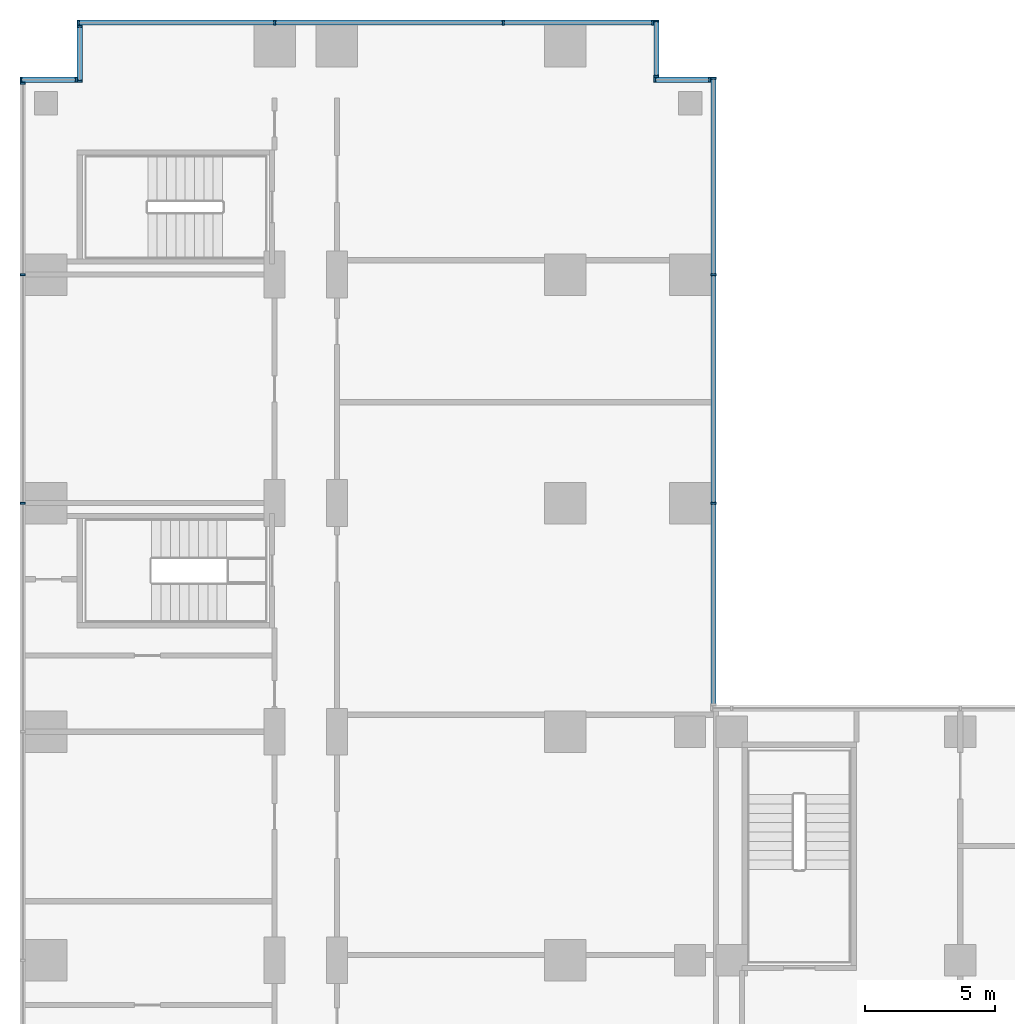
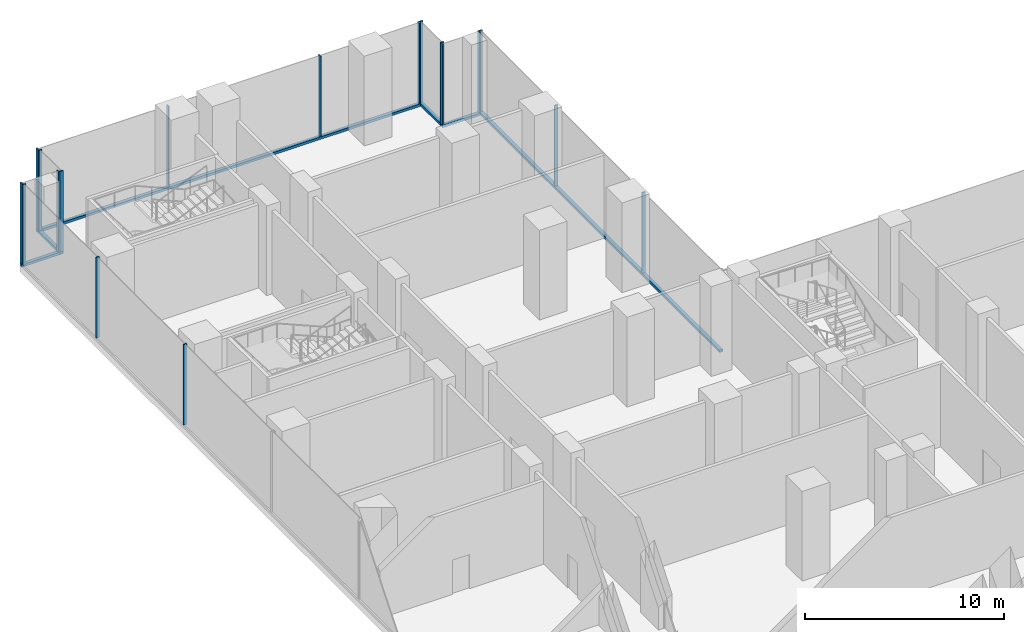
# One storey, part 11 of 30: 24 members, 7 elements without a shape of their own.
"""IFC4 building model written with IfcOpenShell, lengths in metres."""

from ifc_helpers import new_model, si_unit, direction, frame, origin, origin_2d, place, context, subcontext, project, spatial, rectangle, extrude, source, transform, mapped, material, material_profile, profile_set, type_object, element, aggregate, save


model = new_model("IFC4")

# Units and contexts
model_context = context("Model", 3, precision=1e-05, world=origin(), true_north=direction((0.0, 1.0)))
body_context = subcontext(model_context, "Body", "Model", "MODEL_VIEW")
ifc_project = project(units=[si_unit("LENGTHUNIT", "METRE"), si_unit("AREAUNIT", "SQUARE_METRE"), si_unit("VOLUMEUNIT", "CUBIC_METRE"), si_unit("PLANEANGLEUNIT", "RADIAN"), si_unit("MASSUNIT", "GRAM", prefix="KILO")], contexts=[model_context])

# Site, building, storey
site_placement = place(None, origin())
site = spatial("IfcSite", under=ifc_project, at=site_placement, CompositionType="ELEMENT")
building_placement = place(site_placement, origin())
building = spatial("IfcBuilding", under=site, at=building_placement, Name="Kemantara Hotel Tower", CompositionType="ELEMENT")
storey_placement = place(building_placement, frame((0.0, 0.0, 7.5)))
storey = spatial("IfcBuildingStorey", under=building, at=storey_placement, Name="L01", CompositionType="ELEMENT", Elevation=7.5)

# Curtain wall, member
ifc_material_1 = material(Name="Laminated tinted insulated glass 44 mm", Category="glass")
curtain_wall_type = type_object("IfcCurtainWallType", Name="PODIUM GLASS CURTAIN WALL", PredefinedType="USERDEFINED", material=ifc_material_1)
curtain_wall_1_placement = place(storey_placement, origin())
curtain_wall_1 = element("IfcCurtainWall", 1, at=curtain_wall_1_placement, inside=storey, type_object=curtain_wall_type, Name="CW1 L01 POD-R10-1", ObjectType="PODIUM GLASS CURTAIN WALL", PredefinedType="USERDEFINED")
ifc_material_2 = material(Name="Aluminium 6063-T6 bronze anodised", Category="aluminium")
ifc_material_profile_1 = material_profile(ifc_material_2, rectangle(XDim=0.199951171875, YDim=0.14990234375, at=origin_2d()), Name="PODIUM GLASS CURTAIN WALL TRANSOM")
ifc_profile_set_1 = profile_set([ifc_material_profile_1], Name="Aluminium 6063-T6 bronze anodised")
member_type_1 = type_object("IfcMemberType", Name="PODIUM GLASS CURTAIN WALL TRANSOM", PredefinedType="USERDEFINED", material=ifc_profile_set_1)
member_1_placement = place(storey_placement, frame((26.699951171875, 54.800048828125, 0.074951171875), z_axis=(0.0, 1.0, 0.0), x_axis=(-1.0, 0.0, 0.0)))
member_1 = element("IfcMember", 2, at=member_1_placement, type_object=member_type_1, Name="CW1 sill transom POD-R10-1", ObjectType="TRANSOM", PredefinedType="USERDEFINED", context=body_context, shape_type="SweptSolid", body=[
    extrude(rectangle(XDim=0.199951171875, YDim=0.14990234375, at=origin_2d()), origin(), (0.0, 0.0, 1.0), 24.199951171875),
])

curtain_wall_2_placement = place(storey_placement, origin())
curtain_wall_2 = element("IfcCurtainWall", 3, at=curtain_wall_2_placement, inside=storey, type_object=curtain_wall_type, Name="CW1 L01 POD-R13-1", ObjectType="PODIUM GLASS CURTAIN WALL", PredefinedType="USERDEFINED")
member_2_placement = place(storey_placement, frame((24.39990234375, 81.10009765625, 0.074951171875), z_axis=(-1.0, 0.0, 0.0), x_axis=(0.0, -1.0, 0.0)))
member_2 = element("IfcMember", 4, at=member_2_placement, type_object=member_type_1, Name="CW1 sill transom POD-R13-1", ObjectType="TRANSOM", PredefinedType="USERDEFINED", context=body_context, shape_type="SweptSolid", body=[
    extrude(rectangle(XDim=0.199951171875, YDim=0.14990234375, at=origin_2d()), origin(), (0.0, 0.0, 1.0), 22.199951171875),
])

curtain_wall_3_placement = place(storey_placement, origin())
curtain_wall_3 = element("IfcCurtainWall", 5, at=curtain_wall_3_placement, inside=storey, type_object=curtain_wall_type, Name="CW1 L01 POD-R11-1", ObjectType="PODIUM GLASS CURTAIN WALL", PredefinedType="USERDEFINED")
member_3_placement = place(storey_placement, frame((26.60009765625, 78.89990234375, 0.074951171875), z_axis=(-1.0, 0.0, 0.0), x_axis=(0.0, -1.0, 0.0)))
member_3 = element("IfcMember", 6, at=member_3_placement, type_object=member_type_1, Name="CW1 sill transom POD-R11-1", ObjectType="TRANSOM", PredefinedType="USERDEFINED", context=body_context, shape_type="SweptSolid", body=[
    extrude(rectangle(XDim=0.199951171875, YDim=0.14990234375, at=origin_2d()), origin(), (0.0, 0.0, 1.0), 2.2001953125),
])

curtain_wall_4_placement = place(storey_placement, origin())
curtain_wall_4 = element("IfcCurtainWall", 7, at=curtain_wall_4_placement, inside=storey, type_object=curtain_wall_type, Name="CW1 L01 POD-R12-1", ObjectType="PODIUM GLASS CURTAIN WALL", PredefinedType="USERDEFINED")
member_4_placement = place(storey_placement, frame((24.5, 79.0, 0.074951171875), z_axis=(0.0, 1.0, 0.0), x_axis=(-1.0, 0.0, 0.0)))
member_4 = element("IfcMember", 8, at=member_4_placement, type_object=member_type_1, Name="CW1 sill transom POD-R12-1", ObjectType="TRANSOM", PredefinedType="USERDEFINED", context=body_context, shape_type="SweptSolid", body=[
    extrude(rectangle(XDim=0.199951171875, YDim=0.14990234375, at=origin_2d()), origin(), (0.0, 0.0, 1.0), 2.199951171875),
])

curtain_wall_5_placement = place(storey_placement, origin())
curtain_wall_5 = element("IfcCurtainWall", 9, at=curtain_wall_5_placement, inside=storey, type_object=curtain_wall_type, Name="CW1 L01 POD-R14-1", ObjectType="PODIUM GLASS CURTAIN WALL", PredefinedType="USERDEFINED")
member_5_placement = place(storey_placement, frame((2.300048828125, 81.0, 0.074951171875), z_axis=(0.0, -1.0, 0.0), x_axis=(1.0, 0.0, 0.0)))
member_5 = element("IfcMember", 10, at=member_5_placement, type_object=member_type_1, Name="CW1 sill transom POD-R14-1", ObjectType="TRANSOM", PredefinedType="USERDEFINED", context=body_context, shape_type="SweptSolid", body=[
    extrude(rectangle(XDim=0.199951171875, YDim=0.14990234375, at=origin_2d()), origin(), (0.0, 0.0, 1.0), 2.199951171875),
])

curtain_wall_6_placement = place(storey_placement, origin())
curtain_wall_6 = element("IfcCurtainWall", 11, at=curtain_wall_6_placement, inside=storey, type_object=curtain_wall_type, Name="CW1 L01 POD-R15-1", ObjectType="PODIUM GLASS CURTAIN WALL", PredefinedType="USERDEFINED")
member_6_placement = place(storey_placement, frame((2.199951171875, 78.89990234375, 0.074951171875), z_axis=(-1.0, 0.0, 0.0), x_axis=(0.0, -1.0, 0.0)))
member_6 = element("IfcMember", 12, at=member_6_placement, type_object=member_type_1, Name="CW1 sill transom POD-R15-1", ObjectType="TRANSOM", PredefinedType="USERDEFINED", context=body_context, shape_type="SweptSolid", body=[
    extrude(rectangle(XDim=0.199951171875, YDim=0.14990234375, at=origin_2d()), origin(), (0.0, 0.0, 1.0), 2.199951171875),
])

# Member
ifc_material_profile_2 = material_profile(ifc_material_2, rectangle(XDim=0.199951171875, YDim=0.074951171875, at=origin_2d()), Name="PODIUM GLASS CURTAIN WALL MULLION")
ifc_profile_set_2 = profile_set([ifc_material_profile_2], Name="Aluminium 6063-T6 bronze anodised")
member_type_2 = type_object("IfcMemberType", Name="PODIUM GLASS CURTAIN WALL MULLION", PredefinedType="MULLION", material=ifc_profile_set_2)
shared_shape = source(origin(), body_context, "Body", "SweptSolid", [
    extrude(rectangle(XDim=0.199951171875, YDim=0.074951171875, at=origin_2d()), origin(), (0.0, 0.0, 1.0), 4.9501953125),
])
member_7_placement = place(storey_placement, frame((26.699951171875, 62.60009765625, 0.14990234375), z_axis=(0.0, 0.0, 1.0), x_axis=(-1.0, 0.0, 0.0)))
member_7 = element("IfcMember", 13, at=member_7_placement, type_object=member_type_2, Name="CW1 mullion POD-R10-1.2", PredefinedType="MULLION", context=body_context, shape_type="MappedRepresentation", body=[
    mapped(shared_shape, transform((0.0, 0.0, 0.0))),
])

member_8_placement = place(storey_placement, frame((26.699951171875, 71.39990234375, 0.14990234375), z_axis=(0.0, 0.0, 1.0), x_axis=(-1.0, 0.0, 0.0)))
member_8 = element("IfcMember", 14, at=member_8_placement, type_object=member_type_2, Name="CW1 mullion POD-R10-1.3", PredefinedType="MULLION", context=body_context, shape_type="MappedRepresentation", body=[
    mapped(shared_shape, transform((0.0, 0.0, 0.0))),
])

member_9_placement = place(storey_placement, frame((26.699951171875, 78.96240234375, 0.14990234375), z_axis=(0.0, 0.0, 1.0), x_axis=(-1.0, 0.0, 0.0)))
member_9 = element("IfcMember", 15, at=member_9_placement, type_object=member_type_2, Name="CW1 mullion POD-R10-1.4", PredefinedType="MULLION", context=body_context, shape_type="MappedRepresentation", body=[
    mapped(shared_shape, transform((0.0, 0.0, 0.0))),
])

aggregate(curtain_wall_1, [member_1, member_7, member_8, member_9])

member_10_placement = place(storey_placement, frame((24.362548828125, 81.10009765625, 0.14990234375), z_axis=(0.0, 0.0, 1.0), x_axis=(0.0, -1.0, 0.0)))
member_10 = element("IfcMember", 16, at=member_10_placement, type_object=member_type_2, Name="CW1 mullion POD-R13-1.1", PredefinedType="MULLION", context=body_context, shape_type="MappedRepresentation", body=[
    mapped(shared_shape, transform((0.0, 0.0, 0.0))),
])

member_11_placement = place(storey_placement, frame((18.60009765625, 81.10009765625, 0.14990234375), z_axis=(0.0, 0.0, 1.0), x_axis=(0.0, -1.0, 0.0)))
member_11 = element("IfcMember", 17, at=member_11_placement, type_object=member_type_2, Name="CW1 mullion POD-R13-1.2", PredefinedType="MULLION", context=body_context, shape_type="MappedRepresentation", body=[
    mapped(shared_shape, transform((0.0, 0.0, 0.0))),
])

member_12_placement = place(storey_placement, frame((9.800048828125, 81.10009765625, 0.14990234375), z_axis=(0.0, 0.0, 1.0), x_axis=(0.0, -1.0, 0.0)))
member_12 = element("IfcMember", 18, at=member_12_placement, type_object=member_type_2, Name="CW1 mullion POD-R13-1.3", PredefinedType="MULLION", context=body_context, shape_type="MappedRepresentation", body=[
    mapped(shared_shape, transform((0.0, 0.0, 0.0))),
])

member_13_placement = place(storey_placement, frame((2.237548828125, 81.10009765625, 0.14990234375), z_axis=(0.0, 0.0, 1.0), x_axis=(0.0, -1.0, 0.0)))
member_13 = element("IfcMember", 19, at=member_13_placement, type_object=member_type_2, Name="CW1 mullion POD-R13-1.4", PredefinedType="MULLION", context=body_context, shape_type="MappedRepresentation", body=[
    mapped(shared_shape, transform((0.0, 0.0, 0.0))),
])

aggregate(curtain_wall_2, [member_2, member_10, member_11, member_12, member_13])

# Curtain wall, members
curtain_wall_7_placement = place(storey_placement, origin())
curtain_wall_7 = element("IfcCurtainWall", 20, at=curtain_wall_7_placement, inside=storey, type_object=curtain_wall_type, Name="CW1 L01 POD-R16-1", ObjectType="PODIUM GLASS CURTAIN WALL", PredefinedType="USERDEFINED")
member_14_placement = place(storey_placement, frame((0.10009765625, 78.762451171875, 0.14990234375), z_axis=(0.0, 0.0, 1.0), x_axis=(1.0, 0.0, 0.0)))
member_14 = element("IfcMember", 21, at=member_14_placement, type_object=member_type_2, Name="CW1 mullion POD-R16-1.1", PredefinedType="MULLION", context=body_context, shape_type="MappedRepresentation", body=[
    mapped(shared_shape, transform((0.0, 0.0, 0.0))),
])
member_15_placement = place(storey_placement, frame((0.10009765625, 71.39990234375, 0.14990234375), z_axis=(0.0, 0.0, 1.0), x_axis=(1.0, 0.0, 0.0)))
member_15 = element("IfcMember", 22, at=member_15_placement, type_object=member_type_2, Name="CW1 mullion POD-R16-1.2", PredefinedType="MULLION", context=body_context, shape_type="MappedRepresentation", body=[
    mapped(shared_shape, transform((0.0, 0.0, 0.0))),
])
member_16_placement = place(storey_placement, frame((0.10009765625, 62.60009765625, 0.14990234375), z_axis=(0.0, 0.0, 1.0), x_axis=(1.0, 0.0, 0.0)))
member_16 = element("IfcMember", 23, at=member_16_placement, type_object=member_type_2, Name="CW1 mullion POD-R16-1.3", PredefinedType="MULLION", context=body_context, shape_type="MappedRepresentation", body=[
    mapped(shared_shape, transform((0.0, 0.0, 0.0))),
])
aggregate(curtain_wall_7, [member_14, member_15, member_16])

# Member
member_17_placement = place(storey_placement, frame((26.5625, 78.89990234375, 0.14990234375), z_axis=(0.0, 0.0, 1.0), x_axis=(0.0, -1.0, 0.0)))
member_17 = element("IfcMember", 24, at=member_17_placement, type_object=member_type_2, Name="CW1 mullion POD-R11-1.1", PredefinedType="MULLION", context=body_context, shape_type="MappedRepresentation", body=[
    mapped(shared_shape, transform((0.0, 0.0, 0.0))),
])

member_18_placement = place(storey_placement, frame((24.4375, 78.89990234375, 0.14990234375), z_axis=(0.0, 0.0, 1.0), x_axis=(0.0, -1.0, 0.0)))
member_18 = element("IfcMember", 25, at=member_18_placement, type_object=member_type_2, Name="CW1 mullion POD-R11-1.2", PredefinedType="MULLION", context=body_context, shape_type="MappedRepresentation", body=[
    mapped(shared_shape, transform((0.0, 0.0, 0.0))),
])

aggregate(curtain_wall_3, [member_3, member_17, member_18])

member_19_placement = place(storey_placement, frame((24.5, 79.03759765625, 0.14990234375), z_axis=(0.0, 0.0, 1.0), x_axis=(-1.0, 0.0, 0.0)))
member_19 = element("IfcMember", 26, at=member_19_placement, type_object=member_type_2, Name="CW1 mullion POD-R12-1.1", PredefinedType="MULLION", context=body_context, shape_type="MappedRepresentation", body=[
    mapped(shared_shape, transform((0.0, 0.0, 0.0))),
])

member_20_placement = place(storey_placement, frame((24.5, 81.16259765625, 0.14990234375), z_axis=(0.0, 0.0, 1.0), x_axis=(-1.0, 0.0, 0.0)))
member_20 = element("IfcMember", 27, at=member_20_placement, type_object=member_type_2, Name="CW1 mullion POD-R12-1.2", PredefinedType="MULLION", context=body_context, shape_type="MappedRepresentation", body=[
    mapped(shared_shape, transform((0.0, 0.0, 0.0))),
])

aggregate(curtain_wall_4, [member_4, member_19, member_20])

member_21_placement = place(storey_placement, frame((2.300048828125, 80.96240234375, 0.14990234375), z_axis=(0.0, 0.0, 1.0), x_axis=(1.0, 0.0, 0.0)))
member_21 = element("IfcMember", 28, at=member_21_placement, type_object=member_type_2, Name="CW1 mullion POD-R14-1.1", PredefinedType="MULLION", context=body_context, shape_type="MappedRepresentation", body=[
    mapped(shared_shape, transform((0.0, 0.0, 0.0))),
])

member_22_placement = place(storey_placement, frame((2.300048828125, 78.83740234375, 0.14990234375), z_axis=(0.0, 0.0, 1.0), x_axis=(1.0, 0.0, 0.0)))
member_22 = element("IfcMember", 29, at=member_22_placement, type_object=member_type_2, Name="CW1 mullion POD-R14-1.2", PredefinedType="MULLION", context=body_context, shape_type="MappedRepresentation", body=[
    mapped(shared_shape, transform((0.0, 0.0, 0.0))),
])

aggregate(curtain_wall_5, [member_5, member_21, member_22])

member_23_placement = place(storey_placement, frame((2.16259765625, 78.89990234375, 0.14990234375), z_axis=(0.0, 0.0, 1.0), x_axis=(0.0, -1.0, 0.0)))
member_23 = element("IfcMember", 30, at=member_23_placement, type_object=member_type_2, Name="CW1 mullion POD-R15-1.1", PredefinedType="MULLION", context=body_context, shape_type="MappedRepresentation", body=[
    mapped(shared_shape, transform((0.0, 0.0, 0.0))),
])

member_24_placement = place(storey_placement, frame((0.03759765625, 78.89990234375, 0.14990234375), z_axis=(0.0, 0.0, 1.0), x_axis=(0.0, -1.0, 0.0)))
member_24 = element("IfcMember", 31, at=member_24_placement, type_object=member_type_2, Name="CW1 mullion POD-R15-1.2", PredefinedType="MULLION", context=body_context, shape_type="MappedRepresentation", body=[
    mapped(shared_shape, transform((0.0, 0.0, 0.0))),
])

aggregate(curtain_wall_6, [member_6, member_23, member_24])

save(model, "model.ifc")
